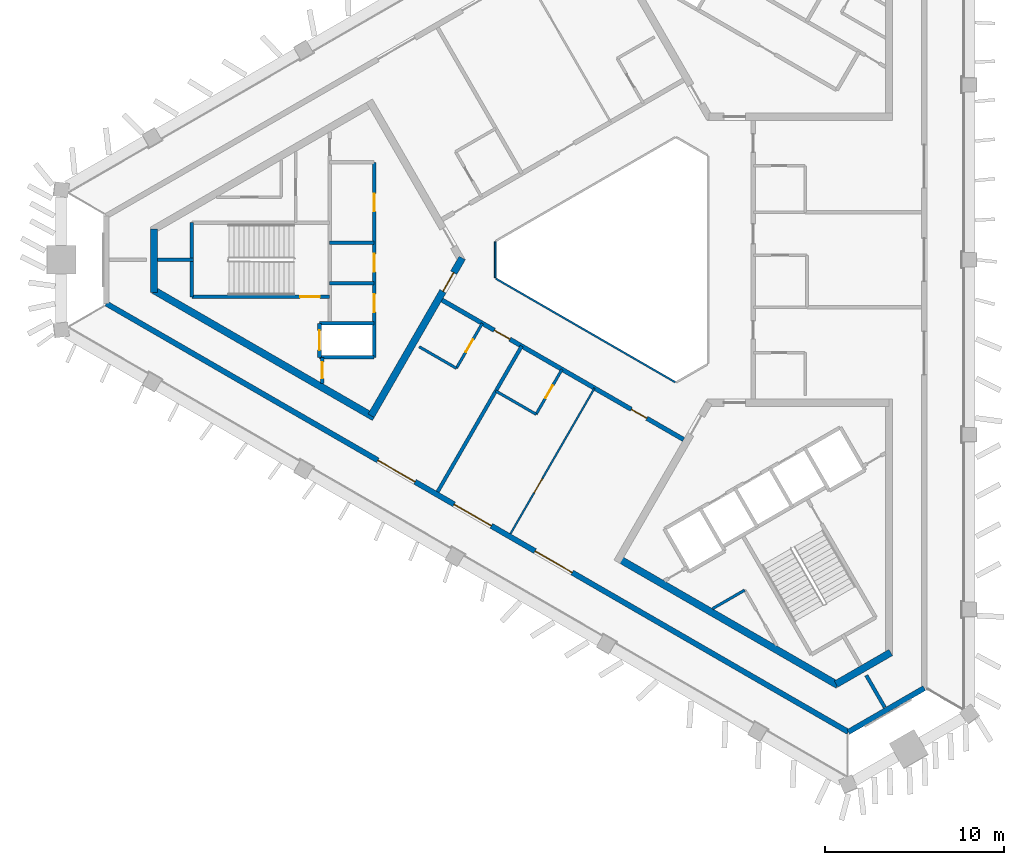
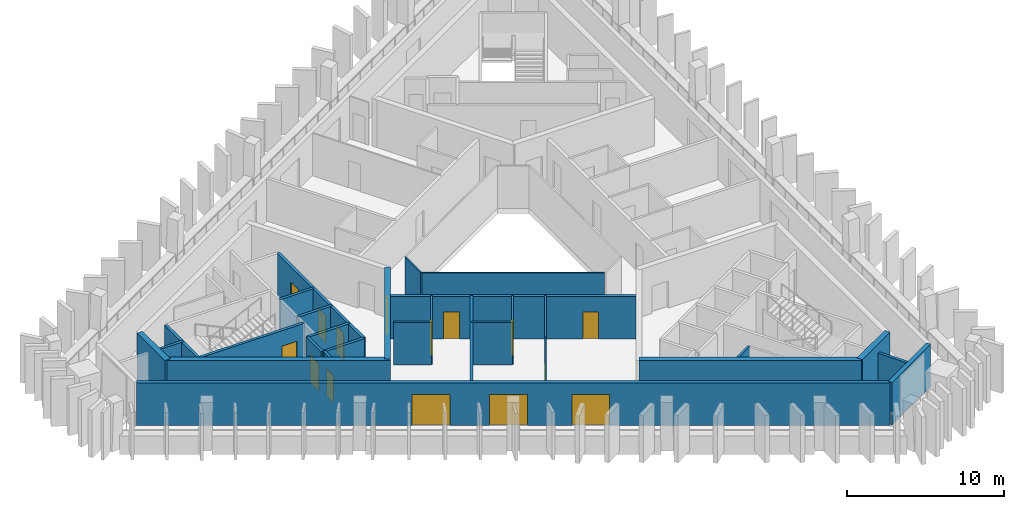
# One storey, part 2 of 9: 28 walls, 15 doors, 15 openings.
"""IFC4 building model written with IfcOpenShell, lengths in metres."""

from ifc_helpers import new_model, si_unit, direction, frame, frame_2d, origin, place, context, subcontext, project, spatial, rectangle, extrude, material, layer, layer_set, type_object, element, fill, save


model = new_model("IFC4")

# Units and contexts
model_context = context("Model", 3, precision=1e-05, world=origin(), true_north=direction((0.0, 1.0)))
body_context = subcontext(model_context, "Body", "Model", "MODEL_VIEW")
ifc_project = project(units=[si_unit("LENGTHUNIT", "METRE"), si_unit("AREAUNIT", "SQUARE_METRE"), si_unit("VOLUMEUNIT", "CUBIC_METRE"), si_unit("PLANEANGLEUNIT", "RADIAN"), si_unit("MASSUNIT", "GRAM", prefix="KILO")], contexts=[model_context])

# Site, building, storey
site_placement = place(None, origin())
site = spatial("IfcSite", under=ifc_project, at=site_placement, CompositionType="ELEMENT")
building_placement = place(site_placement, origin())
building = spatial("IfcBuilding", under=site, at=building_placement, Name="Jabali Bay Hotel Tower and Convention Centre", CompositionType="ELEMENT")
storey_placement = place(building_placement, frame((0.0, 0.0, 270.10009765625)))
storey = spatial("IfcBuildingStorey", under=building, at=storey_placement, Name="L66", CompositionType="ELEMENT", Elevation=270.10009765625)

# Walls
ifc_material_1 = material(Name="Fire-resistant glazing", Category="glass")
ifc_layer_1 = layer(ifc_material_1, 0.10009765625)
ifc_layer_set_1 = layer_set([ifc_layer_1], Name="Fire-resistant glazing")
wall_type_1 = type_object("IfcWallType", Name="Atrium glazed screen 100", PredefinedType="PARTITIONING", material=ifc_layer_set_1)
wall_1_placement = place(storey_placement, frame((67.672119140625, 81.0, 0.0), z_axis=(0.0, 0.0, 1.0), x_axis=(0.0, -1.0, 0.0)))
element("IfcWall", 1, at=wall_1_placement, inside=storey, type_object=wall_type_1, Name="Atrium screen 4 L66", PredefinedType="PARTITIONING", context=body_context, shape_type="SweptSolid", body=[
    extrude(rectangle(XDim=2.0, YDim=0.10009765625, at=frame_2d((1.0, 0.0))), origin(), (0.0, 0.0, 1.0), 3.2998046875),
])
wall_2_placement = place(storey_placement, frame((67.7021484375, 78.947998046875, 0.0), z_axis=(0.0, 0.0, 1.0), x_axis=(0.866026658274, -0.499997827154, 0.0)))
element("IfcWall", 2, at=wall_2_placement, inside=storey, type_object=wall_type_1, Name="Atrium screen 5 L66", PredefinedType="PARTITIONING", context=body_context, shape_type="SweptSolid", body=[
    extrude(rectangle(XDim=11.58837890625, YDim=0.10009765625, at=frame_2d((5.794189453125, 0.0))), origin(), (0.0, 0.0, 1.0), 3.2998046875),
])
ifc_material_2 = material(Name="Concrete C40", Category="concrete")
ifc_layer_2 = layer(ifc_material_2, 0.199951171875)
ifc_layer_set_2 = layer_set([ifc_layer_2], Name="Concrete C40")
wall_type_2 = type_object("IfcWallType", Name="Core partition wall 200", PredefinedType="PARTITIONING", material=ifc_layer_set_2)
wall_3_placement = place(storey_placement, frame((50.820068359375, 80.0, 0.0), z_axis=(0.0, 0.0, 1.0), x_axis=(-1.0, 0.0, 0.0)))
element("IfcWall", 3, at=wall_3_placement, inside=storey, type_object=wall_type_2, Name="Core wall 0.4 L66", PredefinedType="PARTITIONING", context=body_context, shape_type="SweptSolid", body=[
    extrude(rectangle(XDim=2.023193359375, YDim=0.199951171875, at=frame_2d((1.01171875, 0.0))), origin(), (0.0, 0.0, 1.0), 3.2998046875),
])

# Wall, opening, door
wall_4_placement = place(storey_placement, frame((58.0, 74.550048828125, 0.0), z_axis=(0.0, 0.0, 1.0), x_axis=(0.0, -1.0, 0.0)))
wall_4 = element("IfcWall", 4, at=wall_4_placement, inside=storey, type_object=wall_type_2, Name="Core wall 0.11 L66", PredefinedType="PARTITIONING", context=body_context, shape_type="SweptSolid", body=[
    extrude(rectangle(XDim=1.455078125, YDim=0.199951171875, at=frame_2d((0.7275390625, 0.0))), origin(), (0.0, 0.0, 1.0), 3.2998046875),
])
opening_1_placement = place(wall_4_placement, frame((0.277587890625, 0.0, 0.0)))
opening_1 = element("IfcOpeningElement", 5, at=opening_1_placement, cuts=wall_4, Name="Opening D1451", PredefinedType="OPENING", context=body_context, shape_type="SweptSolid", body=[
    extrude(rectangle(XDim=0.89990234375, YDim=2.10009765625, at=frame_2d((0.449951171875, 1.050048828125))), frame((0.0, 0.1103515625, 0.0), z_axis=(0.0, -1.0, 0.0), x_axis=(1.0, 0.0, 0.0)), (0.0, 0.0, 1.0), 0.220947265625),
])
ifc_material_3 = material(Name="Fire-rated steel door", Category="steel")
door_type_1 = type_object("IfcDoorType", Name="Vestibule fire door 900 x 2100", OperationType="NOTDEFINED", PredefinedType="NOTDEFINED", material=ifc_material_3)
door_1_placement = place(opening_1_placement, origin())
door_1 = element("IfcDoor", 6, at=door_1_placement, inside=storey, type_object=door_type_1, Name="Vestibule fire door D1451", OperationType="SINGLE_SWING_LEFT", OverallHeight=2.10009765625, OverallWidth=0.89990234375, PredefinedType="NOTDEFINED", context=body_context, shape_type="SweptSolid", body=[
    extrude(rectangle(XDim=0.89990234375, YDim=2.10009765625, at=frame_2d((0.449951171875, 1.050048828125))), frame((0.0, 0.02490234375, 0.0), z_axis=(0.0, -1.0, 0.0), x_axis=(1.0, 0.0, 0.0)), (0.0, 0.0, 1.0), 0.050048828125),
])
fill(opening_1, door_1)

# Walls
ifc_material_4 = material(Name="Fire-rated board partition")
ifc_layer_3 = layer(ifc_material_4, 0.14990234375)
ifc_layer_set_3 = layer_set([ifc_layer_3], Name="Fire-rated board partition")
wall_type_3 = type_object("IfcWallType", Name="Core room partition 150", PredefinedType="PARTITIONING", material=ifc_layer_set_3)
wall_5_placement = place(storey_placement, frame((79.820068359375, 60.4970703125, 0.0), z_axis=(0.0, 0.0, 1.0), x_axis=(0.866021168401, 0.500007335828, 0.0)))
element("IfcWall", 7, at=wall_5_placement, inside=storey, type_object=wall_type_3, Name="Core wall 2.16 L66", PredefinedType="PARTITIONING", context=body_context, shape_type="SweptSolid", body=[
    extrude(rectangle(XDim=2.0771484375, YDim=0.14990234375, at=frame_2d((1.03857421875, 0.0))), origin(), (0.0, 0.0, 1.0), 3.2998046875),
])
ifc_layer_4 = layer(ifc_material_2, 0.199951171875)
ifc_layer_set_4 = layer_set([ifc_layer_4], Name="Concrete C40")
wall_type_4 = type_object("IfcWallType", Name="Core stair wall 200", PredefinedType="SOLIDWALL", material=ifc_layer_set_4)
for number, where, z_axis, x_axis, name in (
    (8, (60.89990234375, 80.949951171875, 0.0), (0.0, 0.0, 1.0), (-1.0, 0.0, 0.0), "Core wall 0.3 L66"),
    (9, (60.89990234375, 78.699951171875, 0.0), (0.0, 0.0, 1.0), (-1.0, 0.0, 0.0), "Core wall 0.5 L66"),
):
    element("IfcWall", number, at=place(storey_placement, frame(where, z_axis=z_axis, x_axis=x_axis)), inside=storey, type_object=wall_type_4, Name=name, PredefinedType="SOLIDWALL", context=body_context, shape_type="SweptSolid", body=[
        extrude(rectangle(XDim=2.47998046875, YDim=0.199951171875, at=frame_2d((1.239990234375, 0.0))), origin(), (0.0, 0.0, 1.0), 3.2998046875),
    ])

# Wall, opening, door
wall_6_placement = place(storey_placement, frame((58.419921875, 77.925048828125, 0.0), z_axis=(0.0, 0.0, 1.0), x_axis=(-1.0, 0.0, 0.0)))
wall_6 = element("IfcWall", 10, at=wall_6_placement, inside=storey, type_object=wall_type_4, Name="Core wall 0.6 L66", PredefinedType="SOLIDWALL", context=body_context, shape_type="SweptSolid", body=[
    extrude(rectangle(XDim=7.699951171875, YDim=0.199951171875, at=frame_2d((3.85009765625, 0.0))), origin(), (0.0, 0.0, 1.0), 3.2998046875),
])
opening_2_placement = place(wall_6_placement, frame((0.550048828125, 0.0, 0.0)))
opening_2 = element("IfcOpeningElement", 11, at=opening_2_placement, cuts=wall_6, Name="Opening D1453", PredefinedType="OPENING", context=body_context, shape_type="SweptSolid", body=[
    extrude(rectangle(XDim=1.10009765625, YDim=2.10009765625, at=frame_2d((0.550048828125, 1.050048828125))), frame((0.0, 0.1103515625, 0.0), z_axis=(0.0, -1.0, 0.0), x_axis=(1.0, 0.0, 0.0)), (0.0, 0.0, 1.0), 0.220947265625),
])
door_type_2 = type_object("IfcDoorType", Name="Stair fire door 1100 x 2100", OperationType="NOTDEFINED", PredefinedType="NOTDEFINED", material=ifc_material_3)
door_2_placement = place(opening_2_placement, origin())
door_2 = element("IfcDoor", 12, at=door_2_placement, inside=storey, type_object=door_type_2, Name="Stair fire door D1453", OperationType="SINGLE_SWING_RIGHT", OverallHeight=2.10009765625, OverallWidth=1.10009765625, PredefinedType="NOTDEFINED", context=body_context, shape_type="SweptSolid", body=[
    extrude(rectangle(XDim=1.10009765625, YDim=2.10009765625, at=frame_2d((0.550048828125, 1.050048828125))), frame((0.0, 0.02490234375, 0.0), z_axis=(0.0, -1.0, 0.0), x_axis=(1.0, 0.0, 0.0)), (0.0, 0.0, 1.0), 0.050048828125),
])
fill(opening_2, door_2)

# Walls
for number, where, z_axis, x_axis, name in (
    (13, (60.89990234375, 76.449951171875, 0.0), (0.0, 0.0, 1.0), (-1.0, 0.0, 0.0), "Core wall 0.7 L66"),
    (14, (60.89990234375, 74.550048828125, 0.0), (0.0, 0.0, 1.0), (-1.0, 0.0, 0.0), "Core wall 0.8 L66"),
):
    element("IfcWall", number, at=place(storey_placement, frame(where, z_axis=z_axis, x_axis=x_axis)), inside=storey, type_object=wall_type_4, Name=name, PredefinedType="SOLIDWALL", context=body_context, shape_type="SweptSolid", body=[
        extrude(rectangle(XDim=3.0498046875, YDim=0.199951171875, at=frame_2d((1.52490234375, 0.0))), origin(), (0.0, 0.0, 1.0), 3.2998046875),
    ])

# Wall, openings, doors
wall_7_placement = place(storey_placement, frame((60.89990234375, 85.449951171875, 0.0), z_axis=(0.0, 0.0, 1.0), x_axis=(0.0, -1.0, 0.0)))
wall_7 = element("IfcWall", 15, at=wall_7_placement, inside=storey, type_object=wall_type_4, Name="Core wall 0.9 L66", PredefinedType="SOLIDWALL", context=body_context, shape_type="SweptSolid", body=[
    extrude(rectangle(XDim=10.89990234375, YDim=0.199951171875, at=frame_2d((5.449951171875, 0.0))), origin(), (0.0, 0.0, 1.0), 3.2998046875),
])
opening_3_placement = place(wall_7_placement, frame((1.75, 0.0, 0.0)))
opening_3 = element("IfcOpeningElement", 16, at=opening_3_placement, cuts=wall_7, Name="Opening D1447", PredefinedType="OPENING", context=body_context, shape_type="SweptSolid", body=[
    extrude(rectangle(XDim=1.0, YDim=2.10009765625, at=frame_2d((0.5, 1.050048828125))), frame((0.0, 0.1103515625, 0.0), z_axis=(0.0, -1.0, 0.0), x_axis=(1.0, 0.0, 0.0)), (0.0, 0.0, 1.0), 0.220947265625),
])
opening_4_placement = place(wall_7_placement, frame((5.125, 0.0, 0.0)))
opening_4 = element("IfcOpeningElement", 17, at=opening_4_placement, cuts=wall_7, Name="Opening D1448", PredefinedType="OPENING", context=body_context, shape_type="SweptSolid", body=[
    extrude(rectangle(XDim=1.0, YDim=2.10009765625, at=frame_2d((0.5, 1.050048828125))), frame((0.0, 0.1103515625, 0.0), z_axis=(0.0, -1.0, 0.0), x_axis=(1.0, 0.0, 0.0)), (0.0, 0.0, 1.0), 0.220947265625),
])
opening_5_placement = place(wall_7_placement, frame((7.375, 0.0, 0.0)))
opening_5 = element("IfcOpeningElement", 18, at=opening_5_placement, cuts=wall_7, Name="Opening D1449", PredefinedType="OPENING", context=body_context, shape_type="SweptSolid", body=[
    extrude(rectangle(XDim=1.0, YDim=2.10009765625, at=frame_2d((0.5, 1.050048828125))), frame((0.0, 0.1103515625, 0.0), z_axis=(0.0, -1.0, 0.0), x_axis=(1.0, 0.0, 0.0)), (0.0, 0.0, 1.0), 0.220947265625),
])
door_type_3 = type_object("IfcDoorType", Name="Core room door 1000 x 2100", OperationType="NOTDEFINED", PredefinedType="NOTDEFINED", material=ifc_material_3)
door_3_placement = place(opening_3_placement, origin())
door_3 = element("IfcDoor", 19, at=door_3_placement, inside=storey, type_object=door_type_3, Name="Core room door D1447", OperationType="SINGLE_SWING_RIGHT", OverallHeight=2.10009765625, OverallWidth=1.0, PredefinedType="NOTDEFINED", context=body_context, shape_type="SweptSolid", body=[
    extrude(rectangle(XDim=1.0, YDim=2.10009765625, at=frame_2d((0.5, 1.050048828125))), frame((0.0, 0.02490234375, 0.0), z_axis=(0.0, -1.0, 0.0), x_axis=(1.0, 0.0, 0.0)), (0.0, 0.0, 1.0), 0.050048828125),
])
fill(opening_3, door_3)
door_4_placement = place(opening_4_placement, origin())
door_4 = element("IfcDoor", 20, at=door_4_placement, inside=storey, type_object=door_type_3, Name="Core room door D1448", OperationType="SINGLE_SWING_RIGHT", OverallHeight=2.10009765625, OverallWidth=1.0, PredefinedType="NOTDEFINED", context=body_context, shape_type="SweptSolid", body=[
    extrude(rectangle(XDim=1.0, YDim=2.10009765625, at=frame_2d((0.5, 1.050048828125))), frame((0.0, 0.02490234375, 0.0), z_axis=(0.0, -1.0, 0.0), x_axis=(1.0, 0.0, 0.0)), (0.0, 0.0, 1.0), 0.050048828125),
])
fill(opening_4, door_4)
door_5_placement = place(opening_5_placement, origin())
door_5 = element("IfcDoor", 21, at=door_5_placement, inside=storey, type_object=door_type_3, Name="Core room door D1449", OperationType="SINGLE_SWING_RIGHT", OverallHeight=2.10009765625, OverallWidth=1.0, PredefinedType="NOTDEFINED", context=body_context, shape_type="SweptSolid", body=[
    extrude(rectangle(XDim=1.0, YDim=2.10009765625, at=frame_2d((0.5, 1.050048828125))), frame((0.0, 0.02490234375, 0.0), z_axis=(0.0, -1.0, 0.0), x_axis=(1.0, 0.0, 0.0)), (0.0, 0.0, 1.0), 0.050048828125),
])
fill(opening_5, door_5)

# Wall, opening, door
wall_8_placement = place(storey_placement, frame((57.85009765625, 76.449951171875, 0.0), z_axis=(0.0, 0.0, 1.0), x_axis=(0.0, -1.0, 0.0)))
wall_8 = element("IfcWall", 22, at=wall_8_placement, inside=storey, type_object=wall_type_4, Name="Core wall 0.12 L66", PredefinedType="SOLIDWALL", context=body_context, shape_type="SweptSolid", body=[
    extrude(rectangle(XDim=1.89990234375, YDim=0.199951171875, at=frame_2d((0.949951171875, 0.0))), origin(), (0.0, 0.0, 1.0), 3.2998046875),
])
opening_6_placement = place(wall_8_placement, frame((0.39990234375, 0.0, 0.0)))
opening_6 = element("IfcOpeningElement", 23, at=opening_6_placement, cuts=wall_8, Name="Opening LD5-L66", PredefinedType="OPENING", context=body_context, shape_type="SweptSolid", body=[
    extrude(rectangle(XDim=1.10009765625, YDim=2.10009765625, at=frame_2d((0.550048828125, 1.050048828125))), frame((0.0, 0.1103515625, 0.0), z_axis=(0.0, -1.0, 0.0), x_axis=(1.0, 0.0, 0.0)), (0.0, 0.0, 1.0), 0.220947265625),
])
ifc_material_5 = material(Name="Stainless steel landing door", Category="steel")
door_type_4 = type_object("IfcDoorType", Name="Landing door 1100 x 2100", OperationType="NOTDEFINED", PredefinedType="NOTDEFINED", material=ifc_material_5)
door_6_placement = place(opening_6_placement, origin())
door_6 = element("IfcDoor", 24, at=door_6_placement, inside=storey, type_object=door_type_4, Name="Landing doors LD5-L66", OperationType="SLIDING_TO_RIGHT", OverallHeight=2.10009765625, OverallWidth=1.10009765625, PredefinedType="NOTDEFINED", context=body_context, shape_type="SweptSolid", body=[
    extrude(rectangle(XDim=1.10009765625, YDim=2.10009765625, at=frame_2d((0.550048828125, 1.050048828125))), frame((0.0, 0.02490234375, 0.0), z_axis=(0.0, -1.0, 0.0), x_axis=(1.0, 0.0, 0.0)), (0.0, 0.0, 1.0), 0.050048828125),
])
fill(opening_6, door_6)

# Walls
wall_9_placement = place(storey_placement, frame((50.719970703125, 82.074951171875, 0.0), z_axis=(0.0, 0.0, 1.0), x_axis=(0.0, -1.0, 0.0)))
element("IfcWall", 25, at=wall_9_placement, inside=storey, type_object=wall_type_4, Name="Core wall 0.15 L66", PredefinedType="SOLIDWALL", context=body_context, shape_type="SweptSolid", body=[
    extrude(rectangle(XDim=4.14990234375, YDim=0.199951171875, at=frame_2d((2.074951171875, 0.0))), origin(), (0.0, 0.0, 1.0), 3.2998046875),
])
ifc_material_6 = material(Name="Concrete C60", Category="concrete")
ifc_layer_5 = layer(ifc_material_6, 0.39990234375)
ifc_layer_set_5 = layer_set([ifc_layer_5], Name="Concrete C60")
wall_type_5 = type_object("IfcWallType", Name="Core wall 400", PredefinedType="SHEAR", material=ifc_layer_set_5)
wall_10_placement = place(storey_placement, frame((48.596923828125, 81.707275390625, 0.0), z_axis=(0.0, 0.0, 1.0), x_axis=(0.0, -1.0, 0.0)))
element("IfcWall", 26, at=wall_10_placement, inside=storey, type_object=wall_type_5, Name="Core wall 1.3 L66", PredefinedType="SHEAR", context=body_context, shape_type="SweptSolid", body=[
    extrude(rectangle(XDim=3.530029296875, YDim=0.39990234375, at=frame_2d((1.76513671875, 0.0))), origin(), (0.0, 0.0, 1.0), 3.699951171875),
])
wall_11_placement = place(storey_placement, frame((48.596923828125, 78.292724609375, 0.0), z_axis=(0.0, 0.0, 1.0), x_axis=(0.866026024469, -0.499998924941, 0.0)))
element("IfcWall", 27, at=wall_11_placement, inside=storey, type_object=wall_type_5, Name="Core wall 1.4 L66", PredefinedType="SHEAR", context=body_context, shape_type="SweptSolid", body=[
    extrude(rectangle(XDim=14.2177734375, YDim=0.39990234375, at=frame_2d((7.10888671875, 0.0))), origin(), (0.0, 0.0, 1.0), 3.699951171875),
])

# Wall, opening, door
wall_12_placement = place(storey_placement, frame((60.73681640625, 71.283935546875, 0.0), z_axis=(0.0, 0.0, 1.0), x_axis=(0.50000547566, 0.866022242388, 0.0)))
wall_12 = element("IfcWall", 28, at=wall_12_placement, inside=storey, type_object=wall_type_5, Name="Core wall 1.5 L66", PredefinedType="SHEAR", context=body_context, shape_type="SweptSolid", body=[
    extrude(rectangle(XDim=10.18017578125, YDim=0.39990234375, at=frame_2d((5.090087890625, 0.0))), origin(), (0.0, 0.0, 1.0), 3.699951171875),
])
opening_7_placement = place(wall_12_placement, frame((8.030029296875, 0.0, 0.0)))
opening_7 = element("IfcOpeningElement", 29, at=opening_7_placement, cuts=wall_12, Name="Opening D1446", PredefinedType="OPENING", context=body_context, shape_type="SweptSolid", body=[
    extrude(rectangle(XDim=1.199951171875, YDim=2.10009765625, at=frame_2d((0.60009765625, 1.050048828125))), frame((0.0, 0.21044921875, 0.0), z_axis=(0.0, -1.0, 0.0), x_axis=(1.0, 0.0, 0.0)), (0.0, 0.0, 1.0), 0.4208984375),
])
door_type_5 = type_object("IfcDoorType", Name="Corridor end fire door 1200 x 2100", OperationType="NOTDEFINED", PredefinedType="NOTDEFINED", material=ifc_material_3)
door_7_placement = place(opening_7_placement, origin())
door_7 = element("IfcDoor", 30, at=door_7_placement, inside=storey, type_object=door_type_5, Name="Corridor end fire door D1446", OperationType="SINGLE_SWING_LEFT", OverallHeight=2.10009765625, OverallWidth=1.199951171875, PredefinedType="NOTDEFINED", context=body_context, shape_type="SweptSolid", body=[
    extrude(rectangle(XDim=1.199951171875, YDim=2.10009765625, at=frame_2d((0.60009765625, 1.050048828125))), frame((0.0, 0.02490234375, 0.0), z_axis=(0.0, -1.0, 0.0), x_axis=(1.0, 0.0, 0.0)), (0.0, 0.0, 1.0), 0.050048828125),
])
fill(opening_7, door_7)

# Walls
wall_13_placement = place(storey_placement, frame((74.583251953125, 63.28955078125, 0.0), z_axis=(0.0, 0.0, 1.0), x_axis=(0.866024494188, -0.500001575463, 0.0)))
element("IfcWall", 31, at=wall_13_placement, inside=storey, type_object=wall_type_5, Name="Core wall 3.2 L66", PredefinedType="SHEAR", context=body_context, shape_type="SweptSolid", body=[
    extrude(rectangle(XDim=14.13330078125, YDim=0.39990234375, at=frame_2d((7.066650390625, 0.0))), origin(), (0.0, 0.0, 1.0), 3.699951171875),
])
wall_14_placement = place(storey_placement, frame((86.72314453125, 56.28076171875, 0.0), z_axis=(0.0, 0.0, 1.0), x_axis=(0.866025485263, 0.499999858875, 0.0)))
element("IfcWall", 32, at=wall_14_placement, inside=storey, type_object=wall_type_5, Name="Core wall 3.3 L66", PredefinedType="SHEAR", context=body_context, shape_type="SweptSolid", body=[
    extrude(rectangle(XDim=3.52978515625, YDim=0.39990234375, at=frame_2d((1.764892578125, 0.0))), origin(), (0.0, 0.0, 1.0), 3.699951171875),
])

# Wall, openings, doors
ifc_layer_6 = layer(ifc_material_6, 0.25)
ifc_layer_set_6 = layer_set([ifc_layer_6], Name="Concrete C60")
wall_type_6 = type_object("IfcWallType", Name="Corridor wall 250", PredefinedType="SHEAR", material=ifc_layer_set_6)
wall_15_placement = place(storey_placement, frame((64.699951171875, 77.748291015625, 0.0), z_axis=(0.0, 0.0, 1.0), x_axis=(0.866026492143, -0.499998114903, 0.0)))
wall_15 = element("IfcWall", 33, at=wall_15_placement, inside=storey, type_object=wall_type_6, Name="Corridor wall 3 L66", PredefinedType="SHEAR", context=body_context, shape_type="SweptSolid", body=[
    extrude(rectangle(XDim=15.58837890625, YDim=0.25, at=frame_2d((7.794189453125, 0.0))), origin(), (0.0, 0.0, 1.0), 3.2998046875),
])
opening_8_placement = place(wall_15_placement, frame((3.3720703125, 0.0, 0.0)))
opening_8 = element("IfcOpeningElement", 34, at=opening_8_placement, cuts=wall_15, Name="Opening 6613", PredefinedType="OPENING", context=body_context, shape_type="SweptSolid", body=[
    extrude(rectangle(XDim=1.0, YDim=2.10009765625, at=frame_2d((0.5, 1.050048828125))), frame((0.0, 0.135498046875, 0.0), z_axis=(0.0, -1.0, 0.0), x_axis=(1.0, 0.0, 0.0)), (0.0, 0.0, 1.0), 0.27099609375),
])
opening_9_placement = place(wall_15_placement, frame((12.21630859375, 0.0, 0.0)))
opening_9 = element("IfcOpeningElement", 35, at=opening_9_placement, cuts=wall_15, Name="Opening 6616", PredefinedType="OPENING", context=body_context, shape_type="SweptSolid", body=[
    extrude(rectangle(XDim=1.0, YDim=2.10009765625, at=frame_2d((0.5, 1.050048828125))), frame((0.0, 0.135498046875, 0.0), z_axis=(0.0, -1.0, 0.0), x_axis=(1.0, 0.0, 0.0)), (0.0, 0.0, 1.0), 0.27099609375),
])
ifc_material_7 = material(Name="Timber", Category="wood")
door_type_6 = type_object("IfcDoorType", Name="Guest room door 1000 x 2100", OperationType="NOTDEFINED", PredefinedType="NOTDEFINED", material=ifc_material_7)
door_8_placement = place(opening_8_placement, origin())
door_8 = element("IfcDoor", 36, at=door_8_placement, inside=storey, type_object=door_type_6, Name="Door 6613", OperationType="SINGLE_SWING_LEFT", OverallHeight=2.10009765625, OverallWidth=1.0, PredefinedType="NOTDEFINED", context=body_context, shape_type="SweptSolid", body=[
    extrude(rectangle(XDim=1.0, YDim=2.10009765625, at=frame_2d((0.5, 1.050048828125))), frame((0.0, 0.02490234375, 0.0), z_axis=(0.0, -1.0, 0.0), x_axis=(1.0, 0.0, 0.0)), (0.0, 0.0, 1.0), 0.050048828125),
])
fill(opening_8, door_8)
door_9_placement = place(opening_9_placement, origin())
door_9 = element("IfcDoor", 37, at=door_9_placement, inside=storey, type_object=door_type_6, Name="Door 6616", OperationType="SINGLE_SWING_RIGHT", OverallHeight=2.10009765625, OverallWidth=1.0, PredefinedType="NOTDEFINED", context=body_context, shape_type="SweptSolid", body=[
    extrude(rectangle(XDim=1.0, YDim=2.10009765625, at=frame_2d((0.5, 1.050048828125))), frame((0.0, 0.02490234375, 0.0), z_axis=(0.0, -1.0, 0.0), x_axis=(1.0, 0.0, 0.0)), (0.0, 0.0, 1.0), 0.050048828125),
])
fill(opening_9, door_9)

# Wall
ifc_layer_7 = layer(ifc_material_2, 0.300048828125)
ifc_layer_set_7 = layer_set([ifc_layer_7], Name="Concrete C40")
wall_type_7 = type_object("IfcWallType", Name="External wall 300", PredefinedType="SOLIDWALL", material=ifc_layer_set_7)
wall_16_placement = place(storey_placement, frame((91.652587890625, 56.055419921875, 0.0), z_axis=(0.0, 0.0, 1.0), x_axis=(-0.866026229868, -0.499998569178, 0.0)))
element("IfcWall", 38, at=wall_16_placement, inside=storey, type_object=wall_type_7, Name="External wall south-east chamfer L66", PredefinedType="SOLIDWALL", context=body_context, shape_type="SweptSolid", body=[
    extrude(rectangle(XDim=4.8984375, YDim=0.300048828125, at=frame_2d((2.44921875, 0.0))), origin(), (0.0, 0.0, 1.0), 3.2998046875),
])

# Wall, openings, doors
wall_17_placement = place(storey_placement, frame((87.410400390625, 53.606201171875, 0.0), z_axis=(0.0, 0.0, 1.0), x_axis=(-0.866026235966, 0.499998558616, 0.0)))
wall_17 = element("IfcWall", 39, at=wall_17_placement, inside=storey, type_object=wall_type_7, Name="External wall south-west face L66", PredefinedType="SOLIDWALL", context=body_context, shape_type="SweptSolid", body=[
    extrude(rectangle(XDim=47.889404296875, YDim=0.300048828125, at=frame_2d((23.94482421875, 0.0))), origin(), (0.0, 0.0, 1.0), 3.2998046875),
])
opening_10_placement = place(wall_17_placement, frame((23.044677734375, 0.0, 0.0)))
opening_10 = element("IfcOpeningElement", 40, at=opening_10_placement, cuts=wall_17, Name="Opening SD1", PredefinedType="OPENING", context=body_context, shape_type="SweptSolid", body=[
    extrude(rectangle(XDim=2.39990234375, YDim=2.39990234375, at=frame_2d((1.199951171875, 1.199951171875))), frame((0.0, 0.16064453125, 0.0), z_axis=(0.0, -1.0, 0.0), x_axis=(1.0, 0.0, 0.0)), (0.0, 0.0, 1.0), 0.321044921875),
])
opening_11_placement = place(wall_17_placement, frame((17.822509765625, 0.0, 0.0)))
opening_11 = element("IfcOpeningElement", 41, at=opening_11_placement, cuts=wall_17, Name="Opening SD1", PredefinedType="OPENING", context=body_context, shape_type="SweptSolid", body=[
    extrude(rectangle(XDim=2.39990234375, YDim=2.39990234375, at=frame_2d((1.199951171875, 1.199951171875))), frame((0.0, 0.16064453125, 0.0), z_axis=(0.0, -1.0, 0.0), x_axis=(1.0, 0.0, 0.0)), (0.0, 0.0, 1.0), 0.321044921875),
])
opening_12_placement = place(wall_17_placement, frame((27.966796875, 0.0, 0.0)))
opening_12 = element("IfcOpeningElement", 42, at=opening_12_placement, cuts=wall_17, Name="Opening SD1", PredefinedType="OPENING", context=body_context, shape_type="SweptSolid", body=[
    extrude(rectangle(XDim=2.39990234375, YDim=2.39990234375, at=frame_2d((1.199951171875, 1.199951171875))), frame((0.0, 0.16064453125, 0.0), z_axis=(0.0, -1.0, 0.0), x_axis=(1.0, 0.0, 0.0)), (0.0, 0.0, 1.0), 0.321044921875),
])
ifc_material_8 = material(Name="Glass", Category="glass")
door_type_7 = type_object("IfcDoorType", Name="Loggia sliding door 2400 x 2400", OperationType="NOTDEFINED", PredefinedType="NOTDEFINED", material=ifc_material_8)
door_10_placement = place(opening_10_placement, origin())
door_10 = element("IfcDoor", 43, at=door_10_placement, inside=storey, type_object=door_type_7, Name="Loggia sliding door 6607", OperationType="SLIDING_TO_LEFT", OverallHeight=2.39990234375, OverallWidth=2.39990234375, PredefinedType="NOTDEFINED", context=body_context, shape_type="SweptSolid", body=[
    extrude(rectangle(XDim=2.39990234375, YDim=2.39990234375, at=frame_2d((1.199951171875, 1.199951171875))), frame((0.0, 0.02490234375, 0.0), z_axis=(0.0, -1.0, 0.0), x_axis=(1.0, 0.0, 0.0)), (0.0, 0.0, 1.0), 0.050048828125),
])
fill(opening_10, door_10)
door_11_placement = place(opening_11_placement, origin())
door_11 = element("IfcDoor", 44, at=door_11_placement, inside=storey, type_object=door_type_7, Name="Loggia sliding door 6607", OperationType="SLIDING_TO_RIGHT", OverallHeight=2.39990234375, OverallWidth=2.39990234375, PredefinedType="NOTDEFINED", context=body_context, shape_type="SweptSolid", body=[
    extrude(rectangle(XDim=2.39990234375, YDim=2.39990234375, at=frame_2d((1.199951171875, 1.199951171875))), frame((0.0, 0.02490234375, 0.0), z_axis=(0.0, -1.0, 0.0), x_axis=(1.0, 0.0, 0.0)), (0.0, 0.0, 1.0), 0.050048828125),
])
fill(opening_11, door_11)
door_12_placement = place(opening_12_placement, origin())
door_12 = element("IfcDoor", 45, at=door_12_placement, inside=storey, type_object=door_type_7, Name="Loggia sliding door 6606", OperationType="SLIDING_TO_LEFT", OverallHeight=2.39990234375, OverallWidth=2.39990234375, PredefinedType="NOTDEFINED", context=body_context, shape_type="SweptSolid", body=[
    extrude(rectangle(XDim=2.39990234375, YDim=2.39990234375, at=frame_2d((1.199951171875, 1.199951171875))), frame((0.0, 0.02490234375, 0.0), z_axis=(0.0, -1.0, 0.0), x_axis=(1.0, 0.0, 0.0)), (0.0, 0.0, 1.0), 0.050048828125),
])
fill(opening_12, door_12)

# Wall, opening, door
ifc_material_9 = material(Name="Plasterboard on steel stud", Category="steel")
ifc_layer_8 = layer(ifc_material_9, 0.10009765625)
ifc_layer_set_8 = layer_set([ifc_layer_8], Name="Plasterboard on steel stud")
wall_type_8 = type_object("IfcWallType", Name="Partition 100 unit", PredefinedType="PARTITIONING", material=ifc_layer_set_8)
wall_18_placement = place(storey_placement, frame((68.5234375, 64.682373046875, 0.0), z_axis=(0.0, 0.0, 1.0), x_axis=(0.500006368596, 0.866021726843, 0.0)))
wall_18 = element("IfcWall", 46, at=wall_18_placement, inside=storey, type_object=wall_type_8, Name="Partition P02 L66 024", PredefinedType="PARTITIONING", context=body_context, shape_type="SweptSolid", body=[
    extrude(rectangle(XDim=9.40380859375, YDim=0.10009765625, at=frame_2d((4.701904296875, 0.0))), origin(), (0.0, 0.0, 1.0), 3.2998046875),
])
opening_13_placement = place(wall_18_placement, frame((2.652099609375, 0.0, 0.0)))
opening_13 = element("IfcOpeningElement", 47, at=opening_13_placement, cuts=wall_18, Name="Opening 6615", PredefinedType="OPENING", context=body_context, shape_type="SweptSolid", body=[
    extrude(rectangle(XDim=0.89990234375, YDim=2.10009765625, at=frame_2d((0.449951171875, 1.050048828125))), frame((0.0, 0.060546875, 0.0), z_axis=(0.0, -1.0, 0.0), x_axis=(1.0, 0.0, 0.0)), (0.0, 0.0, 1.0), 0.12109375),
])
door_type_8 = type_object("IfcDoorType", Name="Internal door 900 x 2100", OperationType="NOTDEFINED", PredefinedType="NOTDEFINED", material=ifc_material_7)
door_13_placement = place(opening_13_placement, origin())
door_13 = element("IfcDoor", 48, at=door_13_placement, inside=storey, type_object=door_type_8, Name="Door 6615", OperationType="SINGLE_SWING_RIGHT", OverallHeight=2.10009765625, OverallWidth=0.89990234375, PredefinedType="NOTDEFINED", context=body_context, shape_type="SweptSolid", body=[
    extrude(rectangle(XDim=0.89990234375, YDim=2.10009765625, at=frame_2d((0.449951171875, 1.050048828125))), frame((0.0, 0.02490234375, 0.0), z_axis=(0.0, -1.0, 0.0), x_axis=(1.0, 0.0, 0.0)), (0.0, 0.0, 1.0), 0.050048828125),
])
fill(opening_13, door_13)

ifc_layer_9 = layer(ifc_material_9, 0.14990234375)
ifc_layer_set_9 = layer_set([ifc_layer_9], Name="Plasterboard on steel stud")
wall_type_9 = type_object("IfcWallType", Name="Partition 150 wet", PredefinedType="PARTITIONING", material=ifc_layer_set_9)
wall_19_placement = place(storey_placement, frame((66.95166015625, 76.4482421875, 0.0), z_axis=(0.0, 0.0, 1.0), x_axis=(-0.499987231761, -0.866032775405, 0.0)))
wall_19 = element("IfcWall", 49, at=wall_19_placement, inside=storey, type_object=wall_type_9, Name="Partition P03 L66 021", PredefinedType="PARTITIONING", context=body_context, shape_type="SweptSolid", body=[
    extrude(rectangle(XDim=2.89990234375, YDim=0.14990234375, at=frame_2d((1.449951171875, 0.0))), origin(), (0.0, 0.0, 1.0), 3.2998046875),
])
opening_14_placement = place(wall_19_placement, frame((1.050048828125, 0.0, 0.0)))
opening_14 = element("IfcOpeningElement", 50, at=opening_14_placement, cuts=wall_19, Name="Opening 6612", PredefinedType="OPENING", context=body_context, shape_type="SweptSolid", body=[
    extrude(rectangle(XDim=0.800048828125, YDim=2.10009765625, at=frame_2d((0.39990234375, 1.050048828125))), frame((0.0, 0.08544921875, 0.0), z_axis=(0.0, -1.0, 0.0), x_axis=(1.0, 0.0, 0.0)), (0.0, 0.0, 1.0), 0.1708984375),
])
door_type_9 = type_object("IfcDoorType", Name="En-suite door 800 x 2100", OperationType="NOTDEFINED", PredefinedType="NOTDEFINED", material=ifc_material_7)
door_14_placement = place(opening_14_placement, origin())
door_14 = element("IfcDoor", 51, at=door_14_placement, inside=storey, type_object=door_type_9, Name="Door 6612", OperationType="SINGLE_SWING_RIGHT", OverallHeight=2.10009765625, OverallWidth=0.800048828125, PredefinedType="NOTDEFINED", context=body_context, shape_type="SweptSolid", body=[
    extrude(rectangle(XDim=0.800048828125, YDim=2.10009765625, at=frame_2d((0.39990234375, 1.050048828125))), frame((0.0, 0.02490234375, 0.0), z_axis=(0.0, -1.0, 0.0), x_axis=(1.0, 0.0, 0.0)), (0.0, 0.0, 1.0), 0.050048828125),
])
fill(opening_14, door_14)

# Wall
wall_20_placement = place(storey_placement, frame((65.501708984375, 73.936767578125, 0.0), z_axis=(0.0, 0.0, 1.0), x_axis=(-0.865994240961, 0.500053971709, 0.0)))
element("IfcWall", 52, at=wall_20_placement, inside=storey, type_object=wall_type_9, Name="Partition P03 L66 022", PredefinedType="PARTITIONING", context=body_context, shape_type="SweptSolid", body=[
    extrude(rectangle(XDim=2.401123046875, YDim=0.14990234375, at=frame_2d((1.20068359375, 0.0))), origin(), (0.0, 0.0, 1.0), 3.2998046875),
])

# Wall, opening, door
wall_21_placement = place(storey_placement, frame((71.40673828125, 73.876220703125, 0.0), z_axis=(0.0, 0.0, 1.0), x_axis=(-0.499987231761, -0.866032775405, 0.0)))
wall_21 = element("IfcWall", 53, at=wall_21_placement, inside=storey, type_object=wall_type_9, Name="Partition P03 L66 025", PredefinedType="PARTITIONING", context=body_context, shape_type="SweptSolid", body=[
    extrude(rectangle(XDim=2.89990234375, YDim=0.14990234375, at=frame_2d((1.449951171875, 0.0))), origin(), (0.0, 0.0, 1.0), 3.2998046875),
])
opening_15_placement = place(wall_21_placement, frame((1.050048828125, 0.0, 0.0)))
opening_15 = element("IfcOpeningElement", 54, at=opening_15_placement, cuts=wall_21, Name="Opening 6614", PredefinedType="OPENING", context=body_context, shape_type="SweptSolid", body=[
    extrude(rectangle(XDim=0.800048828125, YDim=2.10009765625, at=frame_2d((0.39990234375, 1.050048828125))), frame((0.0, 0.08544921875, 0.0), z_axis=(0.0, -1.0, 0.0), x_axis=(1.0, 0.0, 0.0)), (0.0, 0.0, 1.0), 0.1708984375),
])
door_15_placement = place(opening_15_placement, origin())
door_15 = element("IfcDoor", 55, at=door_15_placement, inside=storey, type_object=door_type_9, Name="Door 6614", OperationType="SINGLE_SWING_RIGHT", OverallHeight=2.10009765625, OverallWidth=0.800048828125, PredefinedType="NOTDEFINED", context=body_context, shape_type="SweptSolid", body=[
    extrude(rectangle(XDim=0.800048828125, YDim=2.10009765625, at=frame_2d((0.39990234375, 1.050048828125))), frame((0.0, 0.02490234375, 0.0), z_axis=(0.0, -1.0, 0.0), x_axis=(1.0, 0.0, 0.0)), (0.0, 0.0, 1.0), 0.050048828125),
])
fill(opening_15, door_15)

# Walls
wall_22_placement = place(storey_placement, frame((69.956787109375, 71.36474609375, 0.0), z_axis=(0.0, 0.0, 1.0), x_axis=(-0.866021400173, 0.500006934395, 0.0)))
element("IfcWall", 56, at=wall_22_placement, inside=storey, type_object=wall_type_9, Name="Partition P03 L66 026", PredefinedType="PARTITIONING", context=body_context, shape_type="SweptSolid", body=[
    extrude(rectangle(XDim=2.60009765625, YDim=0.14990234375, at=frame_2d((1.300048828125, 0.0))), origin(), (0.0, 0.0, 1.0), 3.2998046875),
])
ifc_layer_10 = layer(ifc_material_9, 0.199951171875)
ifc_layer_set_10 = layer_set([ifc_layer_10], Name="Plasterboard on steel stud")
wall_type_10 = type_object("IfcWallType", Name="Partition 200 party", PredefinedType="PARTITIONING", material=ifc_layer_set_10)
wall_23_placement = place(storey_placement, frame((88.412353515625, 56.77099609375, 0.0), z_axis=(0.0, 0.0, 1.0), x_axis=(0.500008344384, -0.866020586098, 0.0)))
element("IfcWall", 57, at=wall_23_placement, inside=storey, type_object=wall_type_10, Name="Partition P01 L66 005", PredefinedType="PARTITIONING", context=body_context, shape_type="SweptSolid", body=[
    extrude(rectangle(XDim=2.06982421875, YDim=0.199951171875, at=frame_2d((1.034912109375, 0.0))), origin(), (0.0, 0.0, 1.0), 3.2998046875),
])
wall_24_placement = place(storey_placement, frame((64.453125, 67.032470703125, 0.0), z_axis=(0.0, 0.0, 1.0), x_axis=(0.500006368596, 0.866021726843, 0.0)))
element("IfcWall", 58, at=wall_24_placement, inside=storey, type_object=wall_type_10, Name="Partition P01 L66 023", PredefinedType="PARTITIONING", context=body_context, shape_type="SweptSolid", body=[
    extrude(rectangle(XDim=9.40380859375, YDim=0.199951171875, at=frame_2d((4.701904296875, 0.0))), origin(), (0.0, 0.0, 1.0), 3.2998046875),
])

save(model, "model.ifc")
